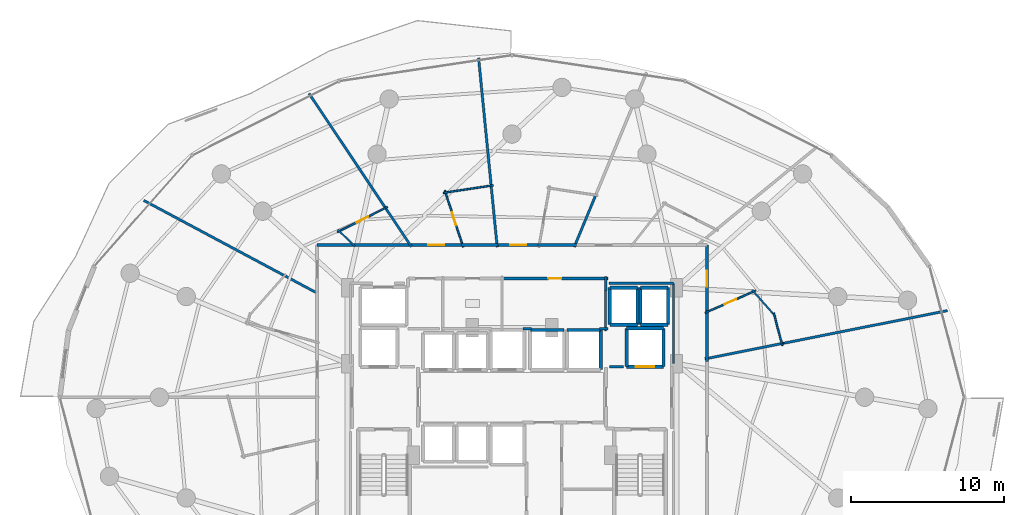
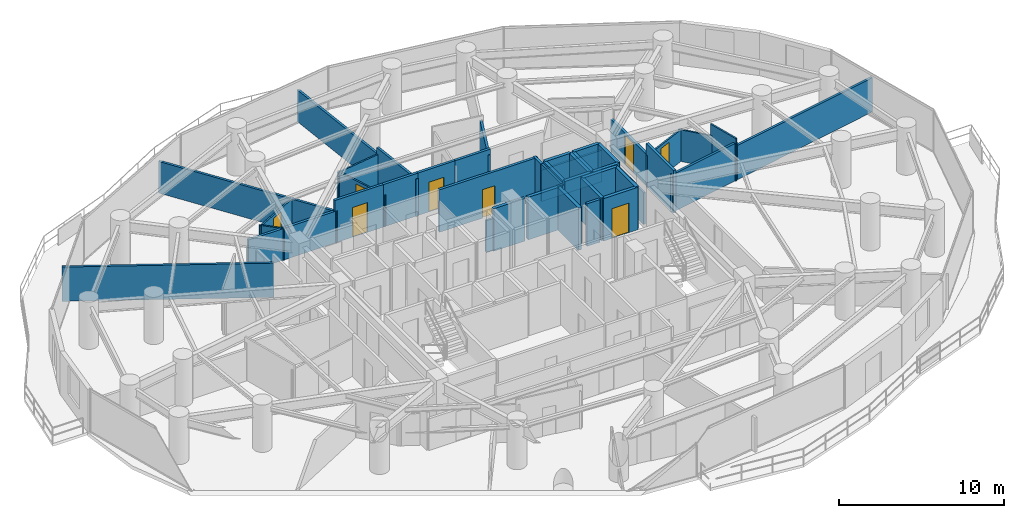
# One storey, part 29 of 34: 46 walls, 8 doors, 8 openings.
"""IFC4 building model written with IfcOpenShell, lengths in metres."""

from ifc_helpers import new_model, si_unit, direction, frame, frame_2d, origin, place, context, subcontext, project, spatial, rectangle, extrude, material, layer, layer_set, type_object, element, fill, save


model = new_model("IFC4")

# Units and contexts
model_context = context("Model", 3, precision=1e-05, world=origin(), true_north=direction((0.0, 1.0)))
body_context = subcontext(model_context, "Body", "Model", "MODEL_VIEW")
ifc_project = project(units=[si_unit("LENGTHUNIT", "METRE"), si_unit("AREAUNIT", "SQUARE_METRE"), si_unit("VOLUMEUNIT", "CUBIC_METRE"), si_unit("PLANEANGLEUNIT", "RADIAN"), si_unit("MASSUNIT", "GRAM", prefix="KILO")], contexts=[model_context])

# Site, building, storey
site_placement = place(None, origin())
site = spatial("IfcSite", under=ifc_project, at=site_placement, CompositionType="ELEMENT")
building_placement = place(site_placement, origin())
building = spatial("IfcBuilding", under=site, at=building_placement, Name="Vorneva Point Tower", CompositionType="ELEMENT")
storey_placement = place(building_placement, frame((0.0, 0.0, 66.0)))
storey = spatial("IfcBuildingStorey", under=building, at=storey_placement, Name="L17", CompositionType="ELEMENT", Elevation=66.0)

# Wall, opening, door
ifc_material_1 = material(Name="Concrete B60 (C50/60)", Category="concrete")
ifc_layer_1 = layer(ifc_material_1, 0.5)
ifc_layer_set_1 = layer_set([ifc_layer_1], Name="Concrete B60 (C50/60)")
wall_type_1 = type_object("IfcWallType", Name="WL-CORE-500", PredefinedType="SHEAR", material=ifc_layer_set_1)
wall_1_placement = place(storey_placement, frame((45.5, 28.0, 0.0), z_axis=(0.0, 0.0, 1.0), x_axis=(1.0, 0.0, 0.0)))
wall_1 = element("IfcWall", 1, at=wall_1_placement, inside=storey, type_object=wall_type_1, Name="L17 Lift FFL2 Shaft Wall -Y", PredefinedType="SHEAR", context=body_context, shape_type="SweptSolid", body=[
    extrude(rectangle(XDim=2.39990234375, YDim=0.219970703125, at=frame_2d((1.199951171875, 0.0))), origin(), (0.0, 0.0, 1.0), 3.14990234375),
])
opening_1_placement = place(wall_1_placement, frame((0.60009765625, 0.0, 0.0)))
opening_1 = element("IfcOpeningElement", 2, at=opening_1_placement, cuts=wall_1, Name="Opening LD-02", PredefinedType="OPENING", context=body_context, shape_type="SweptSolid", body=[
    extrude(rectangle(XDim=1.199951171875, YDim=2.199951171875, at=frame_2d((0.60009765625, 1.10009765625))), frame((0.0, 0.125, 0.0), z_axis=(0.0, -1.0, 0.0), x_axis=(1.0, 0.0, 0.0)), (0.0, 0.0, 1.0), 0.249755859375),
])
ifc_material_2 = material(Name="Brushed stainless steel S304", Category="steel")
door_type_1 = type_object("IfcDoorType", Name="LD-FIRE-1200", OperationType="SLIDING_TO_LEFT", PredefinedType="DOOR", material=ifc_material_2)
door_1_placement = place(opening_1_placement, origin())
door_1 = element("IfcDoor", 3, at=door_1_placement, inside=storey, type_object=door_type_1, Name="L17 Lift FFL2 Sliding Landing Door", OperationType="SLIDING_TO_LEFT", OverallHeight=2.199951171875, OverallWidth=1.199951171875, PredefinedType="DOOR", context=body_context, shape_type="SweptSolid", body=[
    extrude(rectangle(XDim=1.199951171875, YDim=2.199951171875, at=frame_2d((0.60009765625, 1.10009765625))), frame((0.0, 0.02490234375, 0.0), z_axis=(0.0, -1.0, 0.0), x_axis=(1.0, 0.0, 0.0)), (0.0, 0.0, 1.0), 0.050048828125),
])
fill(opening_1, door_1)

# Walls
wall_2_placement = place(storey_placement, frame((47.89990234375, 28.0, 0.0), z_axis=(0.0, 0.0, 1.0), x_axis=(0.0, 1.0, 0.0)))
element("IfcWall", 4, at=wall_2_placement, inside=storey, type_object=wall_type_1, Name="L17 Lift FFL2 Shaft Wall +X", PredefinedType="SHEAR", context=body_context, shape_type="SweptSolid", body=[
    extrude(rectangle(XDim=2.5, YDim=0.219970703125, at=frame_2d((1.25, 0.0))), origin(), (0.0, 0.0, 1.0), 3.14990234375),
])
wall_3_placement = place(storey_placement, frame((47.89990234375, 30.5, 0.0), z_axis=(0.0, 0.0, 1.0), x_axis=(-1.0, 0.0, 0.0)))
element("IfcWall", 5, at=wall_3_placement, inside=storey, type_object=wall_type_1, Name="L17 Lift FFL2 Shaft Wall +Y", PredefinedType="SHEAR", context=body_context, shape_type="SweptSolid", body=[
    extrude(rectangle(XDim=2.39990234375, YDim=0.219970703125, at=frame_2d((1.199951171875, 0.0))), origin(), (0.0, 0.0, 1.0), 3.14990234375),
])
wall_4_placement = place(storey_placement, frame((45.5, 30.5, 0.0), z_axis=(0.0, 0.0, 1.0), x_axis=(0.0, -1.0, 0.0)))
element("IfcWall", 6, at=wall_4_placement, inside=storey, type_object=wall_type_1, Name="L17 Lift FFL2 Shaft Wall -X", PredefinedType="SHEAR", context=body_context, shape_type="SweptSolid", body=[
    extrude(rectangle(XDim=2.5, YDim=0.219970703125, at=frame_2d((1.25, 0.0))), origin(), (0.0, 0.0, 1.0), 3.14990234375),
])
ifc_material_3 = material(Name="Fire-rated acoustic gypsum stud partition", Category="gypsum")
ifc_layer_2 = layer(ifc_material_3, 0.110107421875)
ifc_layer_set_2 = layer_set([ifc_layer_2], Name="Fire-rated acoustic gypsum stud partition")
wall_type_2 = type_object("IfcWallType", Name="WL-PART-110", PredefinedType="PARTITIONING", material=ifc_layer_set_2)
wall_5_placement = place(storey_placement, frame((53.697265625, 33.011962890625, 0.0), z_axis=(0.0, 0.0, 1.0), x_axis=(0.66211021146, -0.749406477074, 0.0)))
element("IfcWall", 7, at=wall_5_placement, inside=storey, type_object=wall_type_2, Name="L17 Interior Partition 049", PredefinedType="PARTITIONING", context=body_context, shape_type="SweptSolid", body=[
    extrude(rectangle(XDim=2.32958984375, YDim=0.110107421875, at=frame_2d((1.164794921875, 0.0))), origin(), (0.0, 0.0, 1.0), 2.342041015625),
])
wall_6_placement = place(storey_placement, frame((55.111328125, 31.50634765625, 0.0), z_axis=(0.0, 0.0, 1.0), x_axis=(0.254389812051, -0.967101764823, 0.0)))
element("IfcWall", 8, at=wall_6_placement, inside=storey, type_object=wall_type_2, Name="L17 Interior Partition 050", PredefinedType="PARTITIONING", context=body_context, shape_type="SweptSolid", body=[
    extrude(rectangle(XDim=2.206298828125, YDim=0.110107421875, at=frame_2d((1.10302734375, 0.0))), origin(), (0.0, 0.0, 1.0), 3.14990234375),
])

# Wall, opening, door
wall_7_placement = place(storey_placement, frame((50.62158203125, 31.52099609375, 0.0), z_axis=(0.0, 0.0, 1.0), x_axis=(0.91617134915, 0.400786799928, 0.0)))
wall_7 = element("IfcWall", 9, at=wall_7_placement, inside=storey, type_object=wall_type_2, Name="L17 Interior Partition 051", PredefinedType="PARTITIONING", context=body_context, shape_type="SweptSolid", body=[
    extrude(rectangle(XDim=3.598388671875, YDim=0.110107421875, at=frame_2d((1.79931640625, 0.0))), origin(), (0.0, 0.0, 1.0), 2.342041015625),
])
opening_2_placement = place(wall_7_placement, frame((1.3740234375, 0.0, 0.0)))
opening_2 = element("IfcOpeningElement", 10, at=opening_2_placement, cuts=wall_7, Name="Opening ID-02", PredefinedType="OPENING", context=body_context, shape_type="SweptSolid", body=[
    extrude(rectangle(XDim=0.85009765625, YDim=2.10009765625, at=frame_2d((0.425048828125, 1.050048828125))), frame((0.0, 0.06982421875, 0.0), z_axis=(0.0, -1.0, 0.0), x_axis=(1.0, 0.0, 0.0)), (0.0, 0.0, 1.0), 0.139892578125),
])
ifc_material_4 = material(Name="Engineered oak fire-rated door leaf", Category="wood")
door_type_2 = type_object("IfcDoorType", Name="DR-BATH-850", OperationType="NOTDEFINED", PredefinedType="DOOR", material=ifc_material_4)
door_2_placement = place(opening_2_placement, origin())
door_2 = element("IfcDoor", 11, at=door_2_placement, inside=storey, type_object=door_type_2, Name="L17 Door Executive Suite L17-01 / En-Suite Bathroom L17-01", OperationType="SINGLE_SWING_LEFT", OverallHeight=2.10009765625, OverallWidth=0.85009765625, PredefinedType="DOOR", context=body_context, shape_type="SweptSolid", body=[
    extrude(rectangle(XDim=0.85009765625, YDim=2.10009765625, at=frame_2d((0.425048828125, 1.050048828125))), frame((0.0, 0.02490234375, 0.0), z_axis=(0.0, -1.0, 0.0), x_axis=(1.0, 0.0, 0.0)), (0.0, 0.0, 1.0), 0.050048828125),
])
fill(opening_2, door_2)

wall_8_placement = place(storey_placement, frame((34.810302734375, 35.81689453125, 0.0), z_axis=(0.0, 0.0, 1.0), x_axis=(-0.309023606939, 0.951054367718, 0.0)))
wall_8 = element("IfcWall", 12, at=wall_8_placement, inside=storey, type_object=wall_type_2, Name="L17 Interior Partition 063", PredefinedType="PARTITIONING", context=body_context, shape_type="SweptSolid", body=[
    extrude(rectangle(XDim=3.888671875, YDim=0.110107421875, at=frame_2d((1.9443359375, 0.0))), origin(), (0.0, 0.0, 1.0), 2.342041015625),
])
opening_3_placement = place(wall_8_placement, frame((1.519287109375, 0.0, 0.0)))
opening_3 = element("IfcOpeningElement", 13, at=opening_3_placement, cuts=wall_8, Name="Opening ID-02", PredefinedType="OPENING", context=body_context, shape_type="SweptSolid", body=[
    extrude(rectangle(XDim=0.85009765625, YDim=2.10009765625, at=frame_2d((0.425048828125, 1.050048828125))), frame((0.0, 0.06982421875, 0.0), z_axis=(0.0, -1.0, 0.0), x_axis=(1.0, 0.0, 0.0)), (0.0, 0.0, 1.0), 0.139892578125),
])
door_3_placement = place(opening_3_placement, origin())
door_3 = element("IfcDoor", 14, at=door_3_placement, inside=storey, type_object=door_type_2, Name="L17 Door Executive Suite L17-04 / En-Suite Bathroom L17-04", OperationType="SINGLE_SWING_RIGHT", OverallHeight=2.10009765625, OverallWidth=0.85009765625, PredefinedType="DOOR", context=body_context, shape_type="SweptSolid", body=[
    extrude(rectangle(XDim=0.85009765625, YDim=2.10009765625, at=frame_2d((0.425048828125, 1.050048828125))), frame((0.0, 0.02490234375, 0.0), z_axis=(0.0, -1.0, 0.0), x_axis=(1.0, 0.0, 0.0)), (0.0, 0.0, 1.0), 0.050048828125),
])
fill(opening_3, door_3)

# Walls
wall_9_placement = place(storey_placement, frame((33.513671875, 39.361083984375, 0.0), z_axis=(0.0, 0.0, 1.0), x_axis=(0.98887765809, 0.148731225139, 0.0)))
element("IfcWall", 15, at=wall_9_placement, inside=storey, type_object=wall_type_2, Name="L17 Interior Partition 064", PredefinedType="PARTITIONING", context=body_context, shape_type="SweptSolid", body=[
    extrude(rectangle(XDim=3.29931640625, YDim=0.110107421875, at=frame_2d((1.649658203125, 0.0))), origin(), (0.0, 0.0, 1.0), 2.342041015625),
])
wall_10_placement = place(storey_placement, frame((27.751953125, 35.85302734375, 0.0), z_axis=(0.0, 0.0, 1.0), x_axis=(-0.720853814296, 0.693087136236, 0.0)))
element("IfcWall", 16, at=wall_10_placement, inside=storey, type_object=wall_type_2, Name="L17 Interior Partition 067", PredefinedType="PARTITIONING", context=body_context, shape_type="SweptSolid", body=[
    extrude(rectangle(XDim=1.582763671875, YDim=0.110107421875, at=frame_2d((0.79150390625, 0.0))), origin(), (0.0, 0.0, 1.0), 2.342041015625),
])

# Wall, opening, door
wall_11_placement = place(storey_placement, frame((26.5869140625, 36.789794921875, 0.0), z_axis=(0.0, 0.0, 1.0), x_axis=(0.892525573298, 0.450996786029, 0.0)))
wall_11 = element("IfcWall", 17, at=wall_11_placement, inside=storey, type_object=wall_type_2, Name="L17 Interior Partition 068", PredefinedType="PARTITIONING", context=body_context, shape_type="SweptSolid", body=[
    extrude(rectangle(XDim=3.66162109375, YDim=0.110107421875, at=frame_2d((1.830810546875, 0.0))), origin(), (0.0, 0.0, 1.0), 2.342041015625),
])
opening_4_placement = place(wall_11_placement, frame((1.40576171875, 0.0, 0.0)))
opening_4 = element("IfcOpeningElement", 18, at=opening_4_placement, cuts=wall_11, Name="Opening ID-02", PredefinedType="OPENING", context=body_context, shape_type="SweptSolid", body=[
    extrude(rectangle(XDim=0.85009765625, YDim=2.10009765625, at=frame_2d((0.425048828125, 1.050048828125))), frame((0.0, 0.06982421875, 0.0), z_axis=(0.0, -1.0, 0.0), x_axis=(1.0, 0.0, 0.0)), (0.0, 0.0, 1.0), 0.139892578125),
])
door_4_placement = place(opening_4_placement, origin())
door_4 = element("IfcDoor", 19, at=door_4_placement, inside=storey, type_object=door_type_2, Name="L17 Door Corner Suite L17-05 / En-Suite Bathroom L17-05", OperationType="SINGLE_SWING_LEFT", OverallHeight=2.10009765625, OverallWidth=0.85009765625, PredefinedType="DOOR", context=body_context, shape_type="SweptSolid", body=[
    extrude(rectangle(XDim=0.85009765625, YDim=2.10009765625, at=frame_2d((0.425048828125, 1.050048828125))), frame((0.0, 0.02490234375, 0.0), z_axis=(0.0, -1.0, 0.0), x_axis=(1.0, 0.0, 0.0)), (0.0, 0.0, 1.0), 0.050048828125),
])
fill(opening_4, door_4)

# Walls
ifc_layer_3 = layer(ifc_material_3, 0.139892578125)
ifc_layer_set_3 = layer_set([ifc_layer_3], Name="Fire-rated acoustic gypsum stud partition")
wall_type_3 = type_object("IfcWallType", Name="WL-PART-140", PredefinedType="PARTITIONING", material=ifc_layer_set_3)
wall_12_placement = place(storey_placement, frame((38.735107421875, 30.47998046875, 0.0), z_axis=(0.0, 0.0, 1.0), x_axis=(1.0, 0.0, 0.0)))
element("IfcWall", 20, at=wall_12_placement, inside=storey, type_object=wall_type_3, Name="L17 Interior Closure Partition 096", PredefinedType="PARTITIONING", context=body_context, shape_type="SweptSolid", body=[
    extrude(rectangle(XDim=0.52978515625, YDim=0.139892578125, at=frame_2d((0.264892578125, 0.0))), origin(), (0.0, 0.0, 1.0), 2.342041015625),
])
wall_13_placement = place(storey_placement, frame((43.735107421875, 30.47998046875, 0.0), z_axis=(0.0, 0.0, 1.0), x_axis=(1.0, 0.0, 0.0)))
element("IfcWall", 21, at=wall_13_placement, inside=storey, type_object=wall_type_3, Name="L17 Interior Closure Partition 097", PredefinedType="PARTITIONING", context=body_context, shape_type="SweptSolid", body=[
    extrude(rectangle(XDim=0.52490234375, YDim=0.139892578125, at=frame_2d((0.262451171875, 0.0))), origin(), (0.0, 0.0, 1.0), 3.14990234375),
])
wall_14_placement = place(storey_placement, frame((44.1201171875, 30.340087890625, 0.0), z_axis=(0.0, 0.0, 1.0), x_axis=(0.0, 1.0, 0.0)))
element("IfcWall", 22, at=wall_14_placement, inside=storey, type_object=wall_type_3, Name="L17 Interior Closure Partition 098", PredefinedType="PARTITIONING", context=body_context, shape_type="SweptSolid", body=[
    extrude(rectangle(XDim=2.659912109375, YDim=0.139892578125, at=frame_2d((1.330078125, 0.0))), origin(), (0.0, 0.0, 1.0), 3.14990234375),
])
wall_15_placement = place(storey_placement, frame((44.340087890625, 33.449951171875, 0.0), z_axis=(0.0, 0.0, 1.0), x_axis=(1.0, 0.0, 0.0)))
element("IfcWall", 23, at=wall_15_placement, inside=storey, type_object=wall_type_3, Name="L17 Interior Closure Partition 100", PredefinedType="PARTITIONING", context=body_context, shape_type="SweptSolid", body=[
    extrude(rectangle(XDim=4.2099609375, YDim=0.139892578125, at=frame_2d((2.10498046875, 0.0))), origin(), (0.0, 0.0, 1.0), 2.342041015625),
])
wall_16_placement = place(storey_placement, frame((48.550048828125, 33.449951171875, 0.0), z_axis=(0.0, 0.0, 1.0), x_axis=(0.0, -1.0, 0.0)))
element("IfcWall", 24, at=wall_16_placement, inside=storey, type_object=wall_type_3, Name="L17 Interior Closure Partition 101", PredefinedType="PARTITIONING", context=body_context, shape_type="SweptSolid", body=[
    extrude(rectangle(XDim=5.25390625, YDim=0.139892578125, at=frame_2d((2.626953125, 0.0))), origin(), (0.0, 0.0, 1.0), 2.342041015625),
])
ifc_layer_4 = layer(ifc_material_3, 0.159912109375)
ifc_layer_set_4 = layer_set([ifc_layer_4], Name="Fire-rated acoustic gypsum stud partition")
wall_type_4 = type_object("IfcWallType", Name="WL-PART-160", PredefinedType="PARTITIONING", material=ifc_layer_set_4)
wall_17_placement = place(storey_placement, frame((55.636962890625, 29.508056640625, 0.0), z_axis=(0.0, 0.0, 1.0), x_axis=(0.980781844691, 0.195107593712, 0.0)))
element("IfcWall", 25, at=wall_17_placement, inside=storey, type_object=wall_type_4, Name="L17 Interior Partition 053", PredefinedType="PARTITIONING", context=body_context, shape_type="SweptSolid", body=[
    extrude(rectangle(XDim=11.0341796875, YDim=0.159912109375, at=frame_2d((5.51708984375, 0.0))), origin(), (0.0, 0.0, 1.0), 2.533935546875),
])
wall_18_placement = place(storey_placement, frame((50.61279296875, 28.5087890625, 0.0), z_axis=(0.0, 0.0, 1.0), x_axis=(0.980788877604, 0.195072236795, 0.0)))
element("IfcWall", 26, at=wall_18_placement, inside=storey, type_object=wall_type_4, Name="L17 Interior Partition 054", PredefinedType="PARTITIONING", context=body_context, shape_type="SweptSolid", body=[
    extrude(rectangle(XDim=5.2626953125, YDim=0.159912109375, at=frame_2d((2.63134765625, 0.0))), origin(), (0.0, 0.0, 1.0), 2.783935546875),
])
wall_19_placement = place(storey_placement, frame((43.503173828125, 39.28515625, 0.0), z_axis=(0.0, 0.0, 1.0), x_axis=(-0.382867331148, -0.923803337697, 0.0)))
element("IfcWall", 27, at=wall_19_placement, inside=storey, type_object=wall_type_4, Name="L17 Interior Partition 058", PredefinedType="PARTITIONING", context=body_context, shape_type="SweptSolid", body=[
    extrude(rectangle(XDim=3.75, YDim=0.159912109375, at=frame_2d((1.875, 0.0))), origin(), (0.0, 0.0, 1.0), 2.783935546875),
])
wall_20_placement = place(storey_placement, frame((35.81494140625, 48.18701171875, 0.0), z_axis=(0.0, 0.0, 1.0), x_axis=(0.098040138044, -0.995182461327, 0.0)))
element("IfcWall", 28, at=wall_20_placement, inside=storey, type_object=wall_type_4, Name="L17 Interior Partition 061", PredefinedType="PARTITIONING", context=body_context, shape_type="SweptSolid", body=[
    extrude(rectangle(XDim=8.456787109375, YDim=0.159912109375, at=frame_2d((4.228515625, 0.0))), origin(), (0.0, 0.0, 1.0), 2.342041015625),
])
wall_21_placement = place(storey_placement, frame((36.630126953125, 39.910400390625, 0.0), z_axis=(0.0, 0.0, 1.0), x_axis=(0.097966212623, -0.995189741298, 0.0)))
element("IfcWall", 29, at=wall_21_placement, inside=storey, type_object=wall_type_4, Name="L17 Interior Partition 062", PredefinedType="PARTITIONING", context=body_context, shape_type="SweptSolid", body=[
    extrude(rectangle(XDim=4.119384765625, YDim=0.159912109375, at=frame_2d((2.0595703125, 0.0))), origin(), (0.0, 0.0, 1.0), 2.783935546875),
])
wall_22_placement = place(storey_placement, frame((24.73291015625, 45.85595703125, 0.0), z_axis=(0.0, 0.0, 1.0), x_axis=(0.555564858458, -0.831473203444, 0.0)))
element("IfcWall", 30, at=wall_22_placement, inside=storey, type_object=wall_type_4, Name="L17 Interior Partition 065", PredefinedType="PARTITIONING", context=body_context, shape_type="SweptSolid", body=[
    extrude(rectangle(XDim=9.053955078125, YDim=0.159912109375, at=frame_2d((4.52685546875, 0.0))), origin(), (0.0, 0.0, 1.0), 2.342041015625),
])
wall_23_placement = place(storey_placement, frame((29.68505859375, 38.4443359375, 0.0), z_axis=(0.0, 0.0, 1.0), x_axis=(0.555596981897, -0.831451738652, 0.0)))
element("IfcWall", 31, at=wall_23_placement, inside=storey, type_object=wall_type_4, Name="L17 Interior Partition 066", PredefinedType="PARTITIONING", context=body_context, shape_type="SweptSolid", body=[
    extrude(rectangle(XDim=3.14013671875, YDim=0.159912109375, at=frame_2d((1.570068359375, 0.0))), origin(), (0.0, 0.0, 1.0), 2.342041015625),
])
wall_24_placement = place(storey_placement, frame((13.925048828125, 38.867919921875, 0.0), z_axis=(0.0, 0.0, 1.0), x_axis=(0.881932077496, -0.471376506292, 0.0)))
element("IfcWall", 32, at=wall_24_placement, inside=storey, type_object=wall_type_4, Name="L17 Interior Partition 069", PredefinedType="PARTITIONING", context=body_context, shape_type="SweptSolid", body=[
    extrude(rectangle(XDim=12.841064453125, YDim=0.159912109375, at=frame_2d((6.42041015625, 0.0))), origin(), (0.0, 0.0, 1.0), 2.533935546875),
])

# Wall, opening, door
ifc_material_5 = material(Name="Autoclaved aerated concrete blockwork", Category="masonry")
ifc_layer_5 = layer(ifc_material_5, 0.179931640625)
ifc_layer_set_5 = layer_set([ifc_layer_5], Name="Autoclaved aerated concrete blockwork")
wall_type_5 = type_object("IfcWallType", Name="WL-PART-180", PredefinedType="PARTITIONING", material=ifc_layer_set_5)
wall_25_placement = place(storey_placement, frame((44.260009765625, 33.760009765625, 0.0), z_axis=(0.0, 0.0, 1.0), x_axis=(-1.0, 0.0, 0.0)))
wall_25 = element("IfcWall", 33, at=wall_25_placement, inside=storey, type_object=wall_type_5, Name="L17 Interior Partition 019", PredefinedType="PARTITIONING", context=body_context, shape_type="SweptSolid", body=[
    extrude(rectangle(XDim=6.909912109375, YDim=0.179931640625, at=frame_2d((3.455078125, 0.0))), origin(), (0.0, 0.0, 1.0), 3.14990234375),
])
opening_5_placement = place(wall_25_placement, frame((3.030029296875, 0.0, 0.0)))
opening_5 = element("IfcOpeningElement", 34, at=opening_5_placement, cuts=wall_25, Name="Opening ID-02", PredefinedType="OPENING", context=body_context, shape_type="SweptSolid", body=[
    extrude(rectangle(XDim=0.85009765625, YDim=2.10009765625, at=frame_2d((0.425048828125, 1.050048828125))), frame((0.0, 0.10498046875, 0.0), z_axis=(0.0, -1.0, 0.0), x_axis=(1.0, 0.0, 0.0)), (0.0, 0.0, 1.0), 0.209716796875),
])
door_5_placement = place(opening_5_placement, origin())
door_5 = element("IfcDoor", 35, at=door_5_placement, inside=storey, type_object=door_type_2, Name="L17 Door Public Restroom / L17 Circulation Corridor", OperationType="SINGLE_SWING_RIGHT", OverallHeight=2.10009765625, OverallWidth=0.85009765625, PredefinedType="DOOR", context=body_context, shape_type="SweptSolid", body=[
    extrude(rectangle(XDim=0.85009765625, YDim=2.10009765625, at=frame_2d((0.425048828125, 1.050048828125))), frame((0.0, 0.02490234375, 0.0), z_axis=(0.0, -1.0, 0.0), x_axis=(1.0, 0.0, 0.0)), (0.0, 0.0, 1.0), 0.050048828125),
])
fill(opening_5, door_5)

# Wall
wall_26_placement = place(storey_placement, frame((44.1201171875, 32.969970703125, 0.0), z_axis=(0.0, 0.0, 1.0), x_axis=(0.0, 1.0, 0.0)))
element("IfcWall", 36, at=wall_26_placement, inside=storey, type_object=wall_type_5, Name="L17 Interior Partition 020", PredefinedType="PARTITIONING", context=body_context, shape_type="SweptSolid", body=[
    extrude(rectangle(XDim=0.929931640625, YDim=0.179931640625, at=frame_2d((0.46484375, 0.0))), origin(), (0.0, 0.0, 1.0), 3.14990234375),
])

# Wall, opening, door
wall_27_placement = place(storey_placement, frame((50.75, 31.51708984375, 0.0), z_axis=(0.0, 0.0, 1.0), x_axis=(0.0, 1.0, 0.0)))
wall_27 = element("IfcWall", 37, at=wall_27_placement, inside=storey, type_object=wall_type_5, Name="L17 Interior Partition 022", PredefinedType="PARTITIONING", context=body_context, shape_type="SweptSolid", body=[
    extrude(rectangle(XDim=4.432861328125, YDim=0.179931640625, at=frame_2d((2.21630859375, 0.0))), origin(), (0.0, 0.0, 1.0), 2.342041015625),
])
opening_6_placement = place(wall_27_placement, frame((1.69140625, 0.0, 0.0)))
opening_6 = element("IfcOpeningElement", 38, at=opening_6_placement, cuts=wall_27, Name="Opening UD-02", PredefinedType="OPENING", context=body_context, shape_type="SweptSolid", body=[
    extrude(rectangle(XDim=1.050048828125, YDim=2.199951171875, at=frame_2d((0.52490234375, 1.10009765625))), frame((0.0, 0.10498046875, 0.0), z_axis=(0.0, -1.0, 0.0), x_axis=(1.0, 0.0, 0.0)), (0.0, 0.0, 1.0), 0.209716796875),
])
door_type_3 = type_object("IfcDoorType", Name="DR-SUITE-1050", OperationType="NOTDEFINED", PredefinedType="DOOR", material=ifc_material_4)
door_6_placement = place(opening_6_placement, origin())
door_6 = element("IfcDoor", 39, at=door_6_placement, inside=storey, type_object=door_type_3, Name="L17 Door L17 Circulation Corridor / Executive Suite L17-01", OperationType="SINGLE_SWING_RIGHT", OverallHeight=2.199951171875, OverallWidth=1.050048828125, PredefinedType="DOOR", context=body_context, shape_type="SweptSolid", body=[
    extrude(rectangle(XDim=1.050048828125, YDim=2.199951171875, at=frame_2d((0.52490234375, 1.10009765625))), frame((0.0, 0.02490234375, 0.0), z_axis=(0.0, -1.0, 0.0), x_axis=(1.0, 0.0, 0.0)), (0.0, 0.0, 1.0), 0.050048828125),
])
fill(opening_6, door_6)

# Wall
wall_28_placement = place(storey_placement, frame((50.75, 28.3359375, 0.0), z_axis=(0.0, 0.0, 1.0), x_axis=(0.0, 1.0, 0.0)))
element("IfcWall", 40, at=wall_28_placement, inside=storey, type_object=wall_type_5, Name="L17 Interior Partition 024", PredefinedType="PARTITIONING", context=body_context, shape_type="SweptSolid", body=[
    extrude(rectangle(XDim=3.321044921875, YDim=0.179931640625, at=frame_2d((1.66064453125, 0.0))), origin(), (0.0, 0.0, 1.0), 3.14990234375),
])

# Wall, opening, door
wall_29_placement = place(storey_placement, frame((39.837890625, 35.949951171875, 0.0), z_axis=(0.0, 0.0, 1.0), x_axis=(-1.0, 0.0, 0.0)))
wall_29 = element("IfcWall", 41, at=wall_29_placement, inside=storey, type_object=wall_type_5, Name="L17 Interior Partition 027", PredefinedType="PARTITIONING", context=body_context, shape_type="SweptSolid", body=[
    extrude(rectangle(XDim=2.8779296875, YDim=0.179931640625, at=frame_2d((1.43896484375, 0.0))), origin(), (0.0, 0.0, 1.0), 3.14990234375),
])
opening_7_placement = place(wall_29_placement, frame((0.9140625, 0.0, 0.0)))
opening_7 = element("IfcOpeningElement", 42, at=opening_7_placement, cuts=wall_29, Name="Opening UD-02", PredefinedType="OPENING", context=body_context, shape_type="SweptSolid", body=[
    extrude(rectangle(XDim=1.050048828125, YDim=2.199951171875, at=frame_2d((0.52490234375, 1.10009765625))), frame((0.0, 0.10498046875, 0.0), z_axis=(0.0, -1.0, 0.0), x_axis=(1.0, 0.0, 0.0)), (0.0, 0.0, 1.0), 0.209716796875),
])
door_7_placement = place(opening_7_placement, origin())
door_7 = element("IfcDoor", 43, at=door_7_placement, inside=storey, type_object=door_type_3, Name="L17 Door L17 Circulation Corridor / Junior Suite L17-03", OperationType="SINGLE_SWING_RIGHT", OverallHeight=2.199951171875, OverallWidth=1.050048828125, PredefinedType="DOOR", context=body_context, shape_type="SweptSolid", body=[
    extrude(rectangle(XDim=1.050048828125, YDim=2.199951171875, at=frame_2d((0.52490234375, 1.10009765625))), frame((0.0, 0.02490234375, 0.0), z_axis=(0.0, -1.0, 0.0), x_axis=(1.0, 0.0, 0.0)), (0.0, 0.0, 1.0), 0.050048828125),
])
fill(opening_7, door_7)

# Wall
wall_30_placement = place(storey_placement, frame((42.200927734375, 35.949951171875, 0.0), z_axis=(0.0, 0.0, 1.0), x_axis=(-1.0, 0.0, 0.0)))
element("IfcWall", 44, at=wall_30_placement, inside=storey, type_object=wall_type_5, Name="L17 Interior Partition 028", PredefinedType="PARTITIONING", context=body_context, shape_type="SweptSolid", body=[
    extrude(rectangle(XDim=2.5029296875, YDim=0.179931640625, at=frame_2d((1.25146484375, 0.0))), origin(), (0.0, 0.0, 1.0), 3.14990234375),
])

# Wall, opening, door
wall_31_placement = place(storey_placement, frame((34.826904296875, 35.949951171875, 0.0), z_axis=(0.0, 0.0, 1.0), x_axis=(-1.0, 0.0, 0.0)))
wall_31 = element("IfcWall", 45, at=wall_31_placement, inside=storey, type_object=wall_type_5, Name="L17 Interior Partition 029", PredefinedType="PARTITIONING", context=body_context, shape_type="SweptSolid", body=[
    extrude(rectangle(XDim=3.546875, YDim=0.179931640625, at=frame_2d((1.7734375, 0.0))), origin(), (0.0, 0.0, 1.0), 3.14990234375),
])
opening_8_placement = place(wall_31_placement, frame((1.24853515625, 0.0, 0.0)))
opening_8 = element("IfcOpeningElement", 46, at=opening_8_placement, cuts=wall_31, Name="Opening UD-02", PredefinedType="OPENING", context=body_context, shape_type="SweptSolid", body=[
    extrude(rectangle(XDim=1.050048828125, YDim=2.199951171875, at=frame_2d((0.52490234375, 1.10009765625))), frame((0.0, 0.10498046875, 0.0), z_axis=(0.0, -1.0, 0.0), x_axis=(1.0, 0.0, 0.0)), (0.0, 0.0, 1.0), 0.209716796875),
])
door_8_placement = place(opening_8_placement, origin())
door_8 = element("IfcDoor", 47, at=door_8_placement, inside=storey, type_object=door_type_3, Name="L17 Door L17 Circulation Corridor / Executive Suite L17-04", OperationType="SINGLE_SWING_LEFT", OverallHeight=2.199951171875, OverallWidth=1.050048828125, PredefinedType="DOOR", context=body_context, shape_type="SweptSolid", body=[
    extrude(rectangle(XDim=1.050048828125, YDim=2.199951171875, at=frame_2d((0.52490234375, 1.10009765625))), frame((0.0, 0.02490234375, 0.0), z_axis=(0.0, -1.0, 0.0), x_axis=(1.0, 0.0, 0.0)), (0.0, 0.0, 1.0), 0.050048828125),
])
fill(opening_8, door_8)

# Walls
wall_32_placement = place(storey_placement, frame((37.10009765625, 35.949951171875, 0.0), z_axis=(0.0, 0.0, 1.0), x_axis=(-1.0, 0.0, 0.0)))
element("IfcWall", 48, at=wall_32_placement, inside=storey, type_object=wall_type_5, Name="L17 Interior Partition 030", PredefinedType="PARTITIONING", context=body_context, shape_type="SweptSolid", body=[
    extrude(rectangle(XDim=2.4130859375, YDim=0.179931640625, at=frame_2d((1.20654296875, 0.0))), origin(), (0.0, 0.0, 1.0), 3.14990234375),
])
wall_33_placement = place(storey_placement, frame((27.7109375, 35.949951171875, 0.0), z_axis=(0.0, 0.0, 1.0), x_axis=(-1.0, 0.0, 0.0)))
element("IfcWall", 49, at=wall_33_placement, inside=storey, type_object=wall_type_5, Name="L17 Interior Partition 031", PredefinedType="PARTITIONING", context=body_context, shape_type="SweptSolid", body=[
    extrude(rectangle(XDim=2.4609375, YDim=0.179931640625, at=frame_2d((1.23046875, 0.0))), origin(), (0.0, 0.0, 1.0), 2.342041015625),
])
wall_34_placement = place(storey_placement, frame((31.419921875, 35.949951171875, 0.0), z_axis=(0.0, 0.0, 1.0), x_axis=(-1.0, 0.0, 0.0)))
element("IfcWall", 50, at=wall_34_placement, inside=storey, type_object=wall_type_5, Name="L17 Interior Partition 033", PredefinedType="PARTITIONING", context=body_context, shape_type="SweptSolid", body=[
    extrude(rectangle(XDim=3.848876953125, YDim=0.179931640625, at=frame_2d((1.92431640625, 0.0))), origin(), (0.0, 0.0, 1.0), 2.342041015625),
])
wall_35_placement = place(storey_placement, frame((45.280029296875, 28.0, 0.0), z_axis=(0.0, 0.0, 1.0), x_axis=(-1.0, 0.0, 0.0)))
element("IfcWall", 51, at=wall_35_placement, inside=storey, type_object=wall_type_5, Name="L17 Interior Closure Partition 093", PredefinedType="PARTITIONING", context=body_context, shape_type="SweptSolid", body=[
    extrude(rectangle(XDim=0.9150390625, YDim=0.179931640625, at=frame_2d((0.45751953125, 0.0))), origin(), (0.0, 0.0, 1.0), 3.14990234375),
])
ifc_material_6 = material(Name="Concrete B50 (C40/50)", Category="concrete")
ifc_layer_6 = layer(ifc_material_6, 0.219970703125)
ifc_layer_set_6 = layer_set([ifc_layer_6], Name="Concrete B50 (C40/50)")
wall_type_6 = type_object("IfcWallType", Name="WL-SHFT-220", PredefinedType="SOLIDWALL", material=ifc_layer_set_6)
wall_36_placement = place(storey_placement, frame((41.39990234375, 30.39990234375, 0.0), z_axis=(0.0, 0.0, 1.0), x_axis=(-1.0, 0.0, 0.0)))
element("IfcWall", 52, at=wall_36_placement, inside=storey, type_object=wall_type_6, Name="L17 Lift PL7 Shaft Wall +Y", PredefinedType="SOLIDWALL", context=body_context, shape_type="SweptSolid", body=[
    extrude(rectangle(XDim=2.199951171875, YDim=0.219970703125, at=frame_2d((1.10009765625, 0.0))), origin(), (0.0, 0.0, 1.0), 3.14990234375),
])
wall_37_placement = place(storey_placement, frame((43.800048828125, 27.800048828125, 0.0), z_axis=(0.0, 0.0, 1.0), x_axis=(0.0, 1.0, 0.0)))
element("IfcWall", 53, at=wall_37_placement, inside=storey, type_object=wall_type_6, Name="L17 Lift PL8 Shaft Wall +X", PredefinedType="SOLIDWALL", context=body_context, shape_type="SweptSolid", body=[
    extrude(rectangle(XDim=2.599853515625, YDim=0.219970703125, at=frame_2d((1.2998046875, 0.0))), origin(), (0.0, 0.0, 1.0), 3.14990234375),
])
wall_38_placement = place(storey_placement, frame((43.800048828125, 30.39990234375, 0.0), z_axis=(0.0, 0.0, 1.0), x_axis=(-1.0, 0.0, 0.0)))
element("IfcWall", 54, at=wall_38_placement, inside=storey, type_object=wall_type_6, Name="L17 Lift PL8 Shaft Wall +Y", PredefinedType="SOLIDWALL", context=body_context, shape_type="SweptSolid", body=[
    extrude(rectangle(XDim=2.199951171875, YDim=0.219970703125, at=frame_2d((1.10009765625, 0.0))), origin(), (0.0, 0.0, 1.0), 3.14990234375),
])
wall_39_placement = place(storey_placement, frame((44.39990234375, 30.739990234375, 0.0), z_axis=(0.0, 0.0, 1.0), x_axis=(1.0, 0.0, 0.0)))
element("IfcWall", 55, at=wall_39_placement, inside=storey, type_object=wall_type_6, Name="L17 Lift EX1 Shaft Wall -Y", PredefinedType="SOLIDWALL", context=body_context, shape_type="SweptSolid", body=[
    extrude(rectangle(XDim=1.800048828125, YDim=0.219970703125, at=frame_2d((0.89990234375, 0.0))), origin(), (0.0, 0.0, 1.0), 3.14990234375),
])
wall_40_placement = place(storey_placement, frame((46.199951171875, 30.739990234375, 0.0), z_axis=(0.0, 0.0, 1.0), x_axis=(0.0, 1.0, 0.0)))
element("IfcWall", 56, at=wall_40_placement, inside=storey, type_object=wall_type_6, Name="L17 Lift EX1 Shaft Wall +X", PredefinedType="SOLIDWALL", context=body_context, shape_type="SweptSolid", body=[
    extrude(rectangle(XDim=2.419921875, YDim=0.219970703125, at=frame_2d((1.2099609375, 0.0))), origin(), (0.0, 0.0, 1.0), 3.14990234375),
])
wall_41_placement = place(storey_placement, frame((46.199951171875, 33.159912109375, 0.0), z_axis=(0.0, 0.0, 1.0), x_axis=(-1.0, 0.0, 0.0)))
element("IfcWall", 57, at=wall_41_placement, inside=storey, type_object=wall_type_6, Name="L17 Lift EX1 Shaft Wall +Y", PredefinedType="SOLIDWALL", context=body_context, shape_type="SweptSolid", body=[
    extrude(rectangle(XDim=1.800048828125, YDim=0.219970703125, at=frame_2d((0.89990234375, 0.0))), origin(), (0.0, 0.0, 1.0), 3.14990234375),
])
wall_42_placement = place(storey_placement, frame((44.39990234375, 33.159912109375, 0.0), z_axis=(0.0, 0.0, 1.0), x_axis=(0.0, -1.0, 0.0)))
element("IfcWall", 58, at=wall_42_placement, inside=storey, type_object=wall_type_6, Name="L17 Lift EX1 Shaft Wall -X", PredefinedType="SOLIDWALL", context=body_context, shape_type="SweptSolid", body=[
    extrude(rectangle(XDim=2.419921875, YDim=0.219970703125, at=frame_2d((1.2099609375, 0.0))), origin(), (0.0, 0.0, 1.0), 3.14990234375),
])
wall_43_placement = place(storey_placement, frame((46.39990234375, 30.739990234375, 0.0), z_axis=(0.0, 0.0, 1.0), x_axis=(1.0, 0.0, 0.0)))
element("IfcWall", 59, at=wall_43_placement, inside=storey, type_object=wall_type_6, Name="L17 Lift EX2 Shaft Wall -Y", PredefinedType="SOLIDWALL", context=body_context, shape_type="SweptSolid", body=[
    extrude(rectangle(XDim=1.800048828125, YDim=0.219970703125, at=frame_2d((0.89990234375, 0.0))), origin(), (0.0, 0.0, 1.0), 3.14990234375),
])
wall_44_placement = place(storey_placement, frame((48.199951171875, 30.739990234375, 0.0), z_axis=(0.0, 0.0, 1.0), x_axis=(0.0, 1.0, 0.0)))
element("IfcWall", 60, at=wall_44_placement, inside=storey, type_object=wall_type_6, Name="L17 Lift EX2 Shaft Wall +X", PredefinedType="SOLIDWALL", context=body_context, shape_type="SweptSolid", body=[
    extrude(rectangle(XDim=2.419921875, YDim=0.219970703125, at=frame_2d((1.2099609375, 0.0))), origin(), (0.0, 0.0, 1.0), 3.14990234375),
])
wall_45_placement = place(storey_placement, frame((48.199951171875, 33.159912109375, 0.0), z_axis=(0.0, 0.0, 1.0), x_axis=(-1.0, 0.0, 0.0)))
element("IfcWall", 61, at=wall_45_placement, inside=storey, type_object=wall_type_6, Name="L17 Lift EX2 Shaft Wall +Y", PredefinedType="SOLIDWALL", context=body_context, shape_type="SweptSolid", body=[
    extrude(rectangle(XDim=1.800048828125, YDim=0.219970703125, at=frame_2d((0.89990234375, 0.0))), origin(), (0.0, 0.0, 1.0), 3.14990234375),
])
wall_46_placement = place(storey_placement, frame((46.39990234375, 33.159912109375, 0.0), z_axis=(0.0, 0.0, 1.0), x_axis=(0.0, -1.0, 0.0)))
element("IfcWall", 62, at=wall_46_placement, inside=storey, type_object=wall_type_6, Name="L17 Lift EX2 Shaft Wall -X", PredefinedType="SOLIDWALL", context=body_context, shape_type="SweptSolid", body=[
    extrude(rectangle(XDim=2.419921875, YDim=0.219970703125, at=frame_2d((1.2099609375, 0.0))), origin(), (0.0, 0.0, 1.0), 3.14990234375),
])

save(model, "model.ifc")
